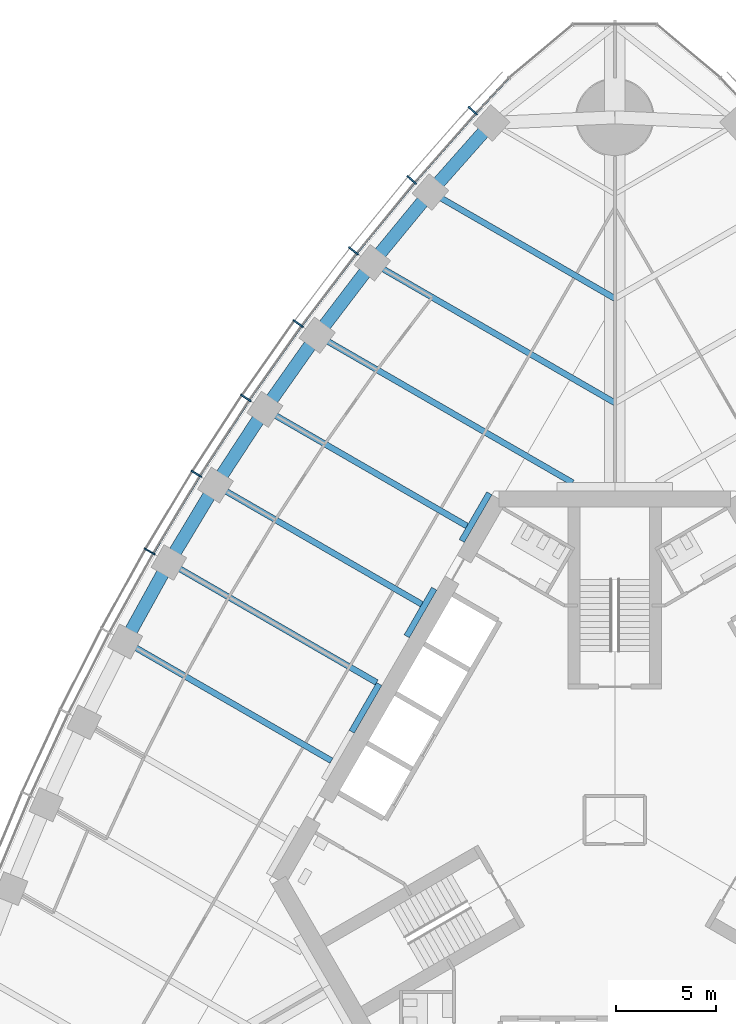
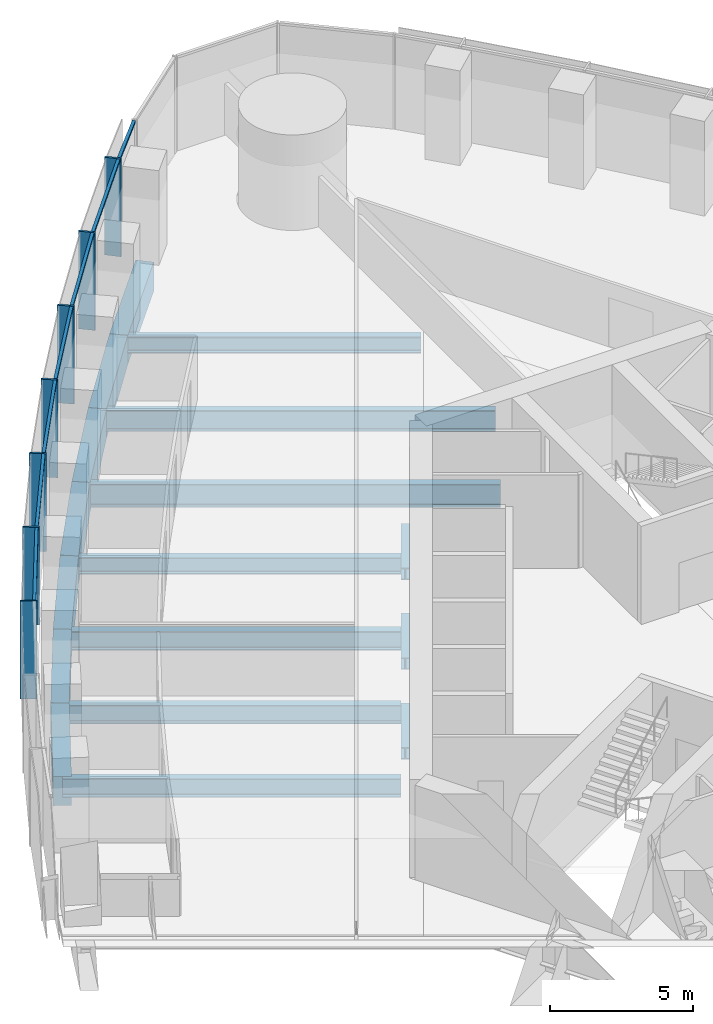
# One storey, part 4 of 19: 17 beams, 14 members, 1 element without a shape of its own.
"""IFC4 building model written with IfcOpenShell, lengths in metres."""

from ifc_helpers import new_model, si_unit, direction, frame, origin, origin_2d, place, context, subcontext, project, spatial, rectangle, i_section, extrude, material, material_profile, profile_set, type_object, element, aggregate, save


model = new_model("IFC4")

# Units and contexts
model_context = context("Model", 3, precision=1e-05, world=origin(), true_north=direction((0.0, 1.0)))
body_context = subcontext(model_context, "Body", "Model", "MODEL_VIEW")
ifc_project = project(units=[si_unit("LENGTHUNIT", "METRE"), si_unit("AREAUNIT", "SQUARE_METRE"), si_unit("VOLUMEUNIT", "CUBIC_METRE"), si_unit("PLANEANGLEUNIT", "RADIAN"), si_unit("MASSUNIT", "GRAM", prefix="KILO")], contexts=[model_context])

# Site, building, storey
site_placement = place(None, origin())
site = spatial("IfcSite", under=ifc_project, at=site_placement, CompositionType="ELEMENT")
building_placement = place(site_placement, origin())
building = spatial("IfcBuilding", under=site, at=building_placement, Name="Trefoil Bronze Tower", CompositionType="ELEMENT")
storey_placement = place(building_placement, frame((0.0, 0.0, 128.300048828125)))
storey = spatial("IfcBuildingStorey", under=building, at=storey_placement, Name="L29", CompositionType="ELEMENT", Elevation=128.300048828125)

# Curtain wall, members
ifc_material_1 = material(Name="Tinted solar-control glass", Category="glass")
curtain_wall_type = type_object("IfcCurtainWallType", Name="Bronze office curtain wall", PredefinedType="USERDEFINED", material=ifc_material_1)
curtain_wall_placement = place(storey_placement, origin())
curtain_wall = element("IfcCurtainWall", 1, at=curtain_wall_placement, inside=storey, type_object=curtain_wall_type, Name="CW-A L29 F3", ObjectType="CURTAIN WALL", PredefinedType="USERDEFINED")
ifc_material_2 = material(Name="Bronze-finish aluminium", Category="aluminium")
ifc_material_profile_1 = material_profile(ifc_material_2, rectangle(XDim=0.60009765625, YDim=0.080078125, at=origin_2d()), Name="CW-A mullion")
ifc_profile_set_1 = profile_set([ifc_material_profile_1], Name="Bronze-finish aluminium")
member_type_1 = type_object("IfcMemberType", Name="Bronze office curtain wall mullion", PredefinedType="MULLION", material=ifc_profile_set_1)
member_1_placement = place(storey_placement, frame((-7.070068359375, 35.332275390625, 0.0), z_axis=(0.0, 0.0, 1.0), x_axis=(0.740360700327, -0.672209813534, 0.0)))
member_1 = element("IfcMember", 2, at=member_1_placement, type_object=member_type_1, Name="CW-A L29 F3 mullion 2", PredefinedType="MULLION", context=body_context, shape_type="SweptSolid", body=[
    extrude(rectangle(XDim=0.60009765625, YDim=0.080078125, at=origin_2d()), origin(), (0.0, 0.0, 1.0), 4.179931640625),
])
member_2_placement = place(storey_placement, frame((-10.11474609375, 31.8828125, 0.0), z_axis=(0.0, 0.0, 1.0), x_axis=(0.761721651066, -0.647904411389, 0.0)))
member_2 = element("IfcMember", 3, at=member_2_placement, type_object=member_type_1, Name="CW-A L29 F3 mullion 3", PredefinedType="MULLION", context=body_context, shape_type="SweptSolid", body=[
    extrude(rectangle(XDim=0.60009765625, YDim=0.080078125, at=origin_2d()), origin(), (0.0, 0.0, 1.0), 4.179931640625),
])
member_3_placement = place(storey_placement, frame((-13.01220703125, 28.34716796875, 0.0), z_axis=(0.0, 0.0, 1.0), x_axis=(0.78487913905, -0.619648882098, 0.0)))
member_3 = element("IfcMember", 4, at=member_3_placement, type_object=member_type_1, Name="CW-A L29 F3 mullion 4", PredefinedType="MULLION", context=body_context, shape_type="SweptSolid", body=[
    extrude(rectangle(XDim=0.60009765625, YDim=0.080078125, at=origin_2d()), origin(), (0.0, 0.0, 1.0), 4.179931640625),
])
member_4_placement = place(storey_placement, frame((-15.764404296875, 24.7275390625, 0.0), z_axis=(0.0, 0.0, 1.0), x_axis=(0.806874522901, -0.590722865897, 0.0)))
member_4 = element("IfcMember", 5, at=member_4_placement, type_object=member_type_1, Name="CW-A L29 F3 mullion 5", PredefinedType="MULLION", context=body_context, shape_type="SweptSolid", body=[
    extrude(rectangle(XDim=0.60009765625, YDim=0.080078125, at=origin_2d()), origin(), (0.0, 0.0, 1.0), 4.179931640625),
])
member_5_placement = place(storey_placement, frame((-18.373046875, 21.025146484375, 0.0), z_axis=(0.0, 0.0, 1.0), x_axis=(0.827723925749, -0.561135547566, 0.0)))
member_5 = element("IfcMember", 6, at=member_5_placement, type_object=member_type_1, Name="CW-A L29 F3 mullion 6", PredefinedType="MULLION", context=body_context, shape_type="SweptSolid", body=[
    extrude(rectangle(XDim=0.60009765625, YDim=0.080078125, at=origin_2d()), origin(), (0.0, 0.0, 1.0), 4.179931640625),
])
member_6_placement = place(storey_placement, frame((-20.840087890625, 17.24072265625, 0.0), z_axis=(0.0, 0.0, 1.0), x_axis=(0.84743864936, -0.530893337283, 0.0)))
member_6 = element("IfcMember", 7, at=member_6_placement, type_object=member_type_1, Name="CW-A L29 F3 mullion 7", PredefinedType="MULLION", context=body_context, shape_type="SweptSolid", body=[
    extrude(rectangle(XDim=0.60009765625, YDim=0.080078125, at=origin_2d()), origin(), (0.0, 0.0, 1.0), 4.179931640625),
])
member_7_placement = place(storey_placement, frame((-23.166015625, 13.374755859375, 0.0), z_axis=(0.0, 0.0, 1.0), x_axis=(0.866025403784, -0.5, 0.0)))
member_7 = element("IfcMember", 8, at=member_7_placement, type_object=member_type_1, Name="CW-A L29 F3 mullion 8", PredefinedType="MULLION", context=body_context, shape_type="SweptSolid", body=[
    extrude(rectangle(XDim=0.60009765625, YDim=0.080078125, at=origin_2d()), origin(), (0.0, 0.0, 1.0), 4.179931640625),
])
ifc_material_3 = material(Name="Bronze-finish aluminium", Category="aluminium")
ifc_material_profile_2 = material_profile(ifc_material_3, rectangle(XDim=0.1201171875, YDim=0.10009765625, at=origin_2d()), Name="CW-A transom")
ifc_profile_set_2 = profile_set([ifc_material_profile_2], Name="Bronze-finish aluminium")
member_type_2 = type_object("IfcMemberType", Name="Bronze office curtain wall transom", PredefinedType="USERDEFINED", material=ifc_profile_set_2)
member_8_placement = place(storey_placement, frame((-5.296630859375, 36.9384765625, 4.1298828125), z_axis=(-0.682489214428, -0.730895664366, 0.0), x_axis=(0.730895664366, -0.682489214428, 0.0)))
member_8 = element("IfcMember", 9, at=member_8_placement, type_object=member_type_2, Name="CW-A L29 F3 transom 1", ObjectType="TRANSOM", PredefinedType="USERDEFINED", context=body_context, shape_type="SweptSolid", body=[
    extrude(rectangle(XDim=0.1201171875, YDim=0.10009765625, at=origin_2d()), origin(), (0.0, 0.0, 1.0), 2.340087890625),
])
member_9_placement = place(storey_placement, frame((-6.949462890625, 35.166748046875, 4.1298828125), z_axis=(-0.66173618877, -0.749736764786, 0.0), x_axis=(0.749736764786, -0.66173618877, 0.0)))
member_9 = element("IfcMember", 10, at=member_9_placement, type_object=member_type_2, Name="CW-A L29 F3 transom 2", ObjectType="TRANSOM", PredefinedType="USERDEFINED", context=body_context, shape_type="SweptSolid", body=[
    extrude(rectangle(XDim=0.1201171875, YDim=0.10009765625, at=origin_2d()), origin(), (0.0, 0.0, 1.0), 4.510986328125),
])
member_10_placement = place(storey_placement, frame((-9.98876953125, 31.720947265625, 4.1298828125), z_axis=(-0.633848872297, -0.773456919995, 0.0), x_axis=(0.773456919995, -0.633848872297, 0.0)))
member_10 = element("IfcMember", 11, at=member_10_placement, type_object=member_type_2, Name="CW-A L29 F3 transom 3", ObjectType="TRANSOM", PredefinedType="USERDEFINED", context=body_context, shape_type="SweptSolid", body=[
    extrude(rectangle(XDim=0.1201171875, YDim=0.10009765625, at=origin_2d()), origin(), (0.0, 0.0, 1.0), 4.480224609375),
])
member_11_placement = place(storey_placement, frame((-12.880615234375, 28.18994140625, 4.1298828125), z_axis=(-0.605229114572, -0.796051329296, 0.0), x_axis=(0.796051329296, -0.605229114572, 0.0)))
member_11 = element("IfcMember", 12, at=member_11_placement, type_object=member_type_2, Name="CW-A L29 F3 transom 4", ObjectType="TRANSOM", PredefinedType="USERDEFINED", context=body_context, shape_type="SweptSolid", body=[
    extrude(rectangle(XDim=0.1201171875, YDim=0.10009765625, at=origin_2d()), origin(), (0.0, 0.0, 1.0), 4.456298828125),
])
member_12_placement = place(storey_placement, frame((-15.626953125, 24.5751953125, 4.1298828125), z_axis=(-0.576017858824, -0.817437108478, 0.0), x_axis=(0.817437108478, -0.576017858824, 0.0)))
member_12 = element("IfcMember", 13, at=member_12_placement, type_object=member_type_2, Name="CW-A L29 F3 transom 5", ObjectType="TRANSOM", PredefinedType="USERDEFINED", context=body_context, shape_type="SweptSolid", body=[
    extrude(rectangle(XDim=0.1201171875, YDim=0.10009765625, at=origin_2d()), origin(), (0.0, 0.0, 1.0), 4.4384765625),
])
member_13_placement = place(storey_placement, frame((-18.23046875, 20.877685546875, 4.1298828125), z_axis=(-0.546079336226, -0.837733465099, 0.0), x_axis=(0.837733465099, -0.546079336226, 0.0)))
member_13 = element("IfcMember", 14, at=member_13_placement, type_object=member_type_2, Name="CW-A L29 F3 transom 6", ObjectType="TRANSOM", PredefinedType="USERDEFINED", context=body_context, shape_type="SweptSolid", body=[
    extrude(rectangle(XDim=0.1201171875, YDim=0.10009765625, at=origin_2d()), origin(), (0.0, 0.0, 1.0), 4.426513671875),
])
member_14_placement = place(storey_placement, frame((-20.692138671875, 17.0986328125, 4.1298828125), z_axis=(-0.515526794174, -0.856873458854, 0.0), x_axis=(0.856873458854, -0.515526794174, 0.0)))
member_14 = element("IfcMember", 15, at=member_14_placement, type_object=member_type_2, Name="CW-A L29 F3 transom 7", ObjectType="TRANSOM", PredefinedType="USERDEFINED", context=body_context, shape_type="SweptSolid", body=[
    extrude(rectangle(XDim=0.1201171875, YDim=0.10009765625, at=origin_2d()), origin(), (0.0, 0.0, 1.0), 4.4208984375),
])
aggregate(curtain_wall, [member_1, member_2, member_3, member_4, member_5, member_6, member_7, member_8, member_9, member_10, member_11, member_12, member_13, member_14])

# Beams
ifc_material_4 = material(Name="Steel C355", Category="steel")
ifc_material_profile_3 = material_profile(ifc_material_4, i_section(OverallWidth=0.300048828125, OverallDepth=0.5, WebThickness=0.014404296875, FlangeThickness=0.028076171875, FilletRadius=0.027099609375, at=origin_2d()), Name="HEB 500")
ifc_profile_set_3 = profile_set([ifc_material_profile_3], Name="Steel C355")
beam_type_1 = type_object("IfcBeamType", Name="Core seat beam HEB 500", PredefinedType="BEAM", material=ifc_profile_set_3)
for number, where, z_axis, x_axis, name in (
    (16, (-6.249755859375, 16.27490234375, -0.449951171875), (-0.500035825175, -0.866004719122, 0.0), (0.866004719122, -0.500035825175, 0.0), "Core seat beam F3/-2 L29"),
    (17, (-8.9921875, 11.52490234375, -0.449951171875), (-0.500035825175, -0.866004719122, 0.0), (0.866004719122, -0.500035825175, 0.0), "Core seat beam F3/-1 L29"),
    (18, (-11.734619140625, 6.77490234375, -0.449951171875), (-0.500035825175, -0.866004719122, 0.0), (0.866004719122, -0.500035825175, 0.0), "Core seat beam F3/+0 L29"),
):
    element("IfcBeam", number, at=place(storey_placement, frame(where, z_axis=z_axis, x_axis=x_axis)), inside=storey, type_object=beam_type_1, Name=name, PredefinedType="BEAM", context=body_context, shape_type="SweptSolid", body=[
        extrude(i_section(OverallWidth=0.300048828125, OverallDepth=0.5, WebThickness=0.014404296875, FlangeThickness=0.028076171875, FilletRadius=0.027099609375, at=origin_2d()), origin(), (0.0, 0.0, 1.0), 2.742431640625),
    ])
ifc_material_5 = material(Name="Steel C355", Category="steel")
ifc_material_profile_4 = material_profile(ifc_material_5, i_section(OverallWidth=0.300048828125, OverallDepth=1.0, WebThickness=0.01904296875, FlangeThickness=0.035888671875, FilletRadius=0.030029296875, at=origin_2d()), Name="HEB 1000")
ifc_profile_set_4 = profile_set([ifc_material_profile_4], Name="Steel C355")
beam_type_2 = type_object("IfcBeamType", Name="Floor beam HEB 1000", PredefinedType="BEAM", material=ifc_profile_set_4)
beam_1_placement = place(storey_placement, frame((-14.825439453125, 24.14794921875, -0.699951171875), z_axis=(0.866027342682, -0.499996641717, 0.0), x_axis=(0.499996641717, 0.866027342682, 0.0)))
element("IfcBeam", 19, at=beam_1_placement, inside=storey, type_object=beam_type_2, Name="Floor beam F3/-3 L29", PredefinedType="BEAM", context=body_context, shape_type="SweptSolid", body=[
    extrude(i_section(OverallWidth=0.300048828125, OverallDepth=1.0, WebThickness=0.01904296875, FlangeThickness=0.035888671875, FilletRadius=0.030029296875, at=origin_2d()), origin(), (0.0, 0.0, 1.0), 14.69580078125),
])
ifc_material_6 = material(Name="Steel C355", Category="steel")
ifc_material_profile_5 = material_profile(ifc_material_6, i_section(OverallWidth=0.300048828125, OverallDepth=0.699951171875, WebThickness=0.01708984375, FlangeThickness=0.031982421875, FilletRadius=0.027099609375, at=origin_2d()), Name="HEB 700")
ifc_profile_set_5 = profile_set([ifc_material_profile_5], Name="Steel C355")
beam_type_3 = type_object("IfcBeamType", Name="Floor beam HEB 700", PredefinedType="BEAM", material=ifc_profile_set_5)
beam_2_placement = place(storey_placement, frame((-9.181884765625, 31.281982421875, -0.550048828125), z_axis=(0.866021079084, -0.500007490527, 0.0), x_axis=(0.500007490527, 0.866021079084, 0.0)))
element("IfcBeam", 20, at=beam_2_placement, inside=storey, type_object=beam_type_3, Name="Floor beam F3/-5 L29", PredefinedType="BEAM", context=body_context, shape_type="SweptSolid", body=[
    extrude(i_section(OverallWidth=0.300048828125, OverallDepth=0.699951171875, WebThickness=0.01708984375, FlangeThickness=0.031982421875, FilletRadius=0.027099609375, at=origin_2d()), origin(), (0.0, 0.0, 1.0), 10.602294921875),
])
beam_3_placement = place(storey_placement, frame((-17.43017578125, 20.45556640625, -0.550048828125), z_axis=(0.866030626868, -0.499990953245, 0.0), x_axis=(0.499990953245, 0.866030626868, 0.0)))
element("IfcBeam", 21, at=beam_3_placement, inside=storey, type_object=beam_type_3, Name="Floor beam F3/-2 L29", PredefinedType="BEAM", context=body_context, shape_type="SweptSolid", body=[
    extrude(i_section(OverallWidth=0.300048828125, OverallDepth=0.699951171875, WebThickness=0.01708984375, FlangeThickness=0.031982421875, FilletRadius=0.027099609375, at=origin_2d()), origin(), (0.0, 0.0, 1.0), 11.622802734375),
])
ifc_material_7 = material(Name="Steel C355", Category="steel")
ifc_material_profile_6 = material_profile(ifc_material_7, i_section(OverallWidth=0.300048828125, OverallDepth=0.800048828125, WebThickness=0.017578125, FlangeThickness=0.032958984375, FilletRadius=0.030029296875, at=origin_2d()), Name="HEB 800")
ifc_profile_set_6 = profile_set([ifc_material_profile_6], Name="Steel C355")
beam_type_4 = type_object("IfcBeamType", Name="Floor beam HEB 800", PredefinedType="BEAM", material=ifc_profile_set_6)
beam_4_placement = place(storey_placement, frame((-19.892578125, 16.68115234375, -0.60009765625), z_axis=(0.866024236736, -0.500002021381, 0.0), x_axis=(0.500002021381, 0.866024236736, 0.0)))
element("IfcBeam", 22, at=beam_4_placement, inside=storey, type_object=beam_type_4, Name="Floor beam F3/-1 L29", PredefinedType="BEAM", context=body_context, shape_type="SweptSolid", body=[
    extrude(i_section(OverallWidth=0.300048828125, OverallDepth=0.800048828125, WebThickness=0.017578125, FlangeThickness=0.032958984375, FilletRadius=0.030029296875, at=origin_2d()), origin(), (0.0, 0.0, 1.0), 11.8681640625),
])
beam_5_placement = place(storey_placement, frame((-22.21337890625, 12.824951171875, -0.60009765625), z_axis=(0.866028062731, -0.499995394541, 0.0), x_axis=(0.499995394541, 0.866028062731, 0.0)))
element("IfcBeam", 23, at=beam_5_placement, inside=storey, type_object=beam_type_4, Name="Floor beam F3/+0 L29", PredefinedType="BEAM", context=body_context, shape_type="SweptSolid", body=[
    extrude(i_section(OverallWidth=0.300048828125, OverallDepth=0.800048828125, WebThickness=0.017578125, FlangeThickness=0.032958984375, FilletRadius=0.030029296875, at=origin_2d()), origin(), (0.0, 0.0, 1.0), 11.94970703125),
])
beam_6_placement = place(storey_placement, frame((-24.392578125, 8.886962890625, -0.60009765625), z_axis=(0.866024236736, -0.500002021381, 0.0), x_axis=(0.500002021381, 0.866024236736, 0.0)))
element("IfcBeam", 24, at=beam_6_placement, inside=storey, type_object=beam_type_4, Name="Floor beam F3/+1 L29", PredefinedType="BEAM", context=body_context, shape_type="SweptSolid", body=[
    extrude(i_section(OverallWidth=0.300048828125, OverallDepth=0.800048828125, WebThickness=0.017578125, FlangeThickness=0.032958984375, FilletRadius=0.030029296875, at=origin_2d()), origin(), (0.0, 0.0, 1.0), 11.8681640625),
])
ifc_material_8 = material(Name="Steel C355", Category="steel")
ifc_material_profile_7 = material_profile(ifc_material_8, i_section(OverallWidth=0.300048828125, OverallDepth=0.89990234375, WebThickness=0.0185546875, FlangeThickness=0.034912109375, FilletRadius=0.030029296875, at=origin_2d()), Name="HEB 900")
ifc_profile_set_7 = profile_set([ifc_material_profile_7], Name="Steel C355")
beam_type_5 = type_object("IfcBeamType", Name="Floor beam HEB 900", PredefinedType="BEAM", material=ifc_profile_set_7)
beam_7_placement = place(storey_placement, frame((-12.07666015625, 27.757080078125, -0.650146484375), z_axis=(0.866026983775, -0.499997263366, 0.0), x_axis=(0.499997263366, 0.866026983775, 0.0)))
element("IfcBeam", 25, at=beam_7_placement, inside=storey, type_object=beam_type_5, Name="Floor beam F3/-4 L29", PredefinedType="BEAM", context=body_context, shape_type="SweptSolid", body=[
    extrude(i_section(OverallWidth=0.300048828125, OverallDepth=0.89990234375, WebThickness=0.0185546875, FlangeThickness=0.034912109375, FilletRadius=0.030029296875, at=origin_2d()), origin(), (0.0, 0.0, 1.0), 13.94482421875),
])
ifc_material_9 = material(Name="Concrete B80", Category="concrete")
ifc_material_profile_8 = material_profile(ifc_material_9, rectangle(XDim=0.64990234375, YDim=1.25, at=origin_2d()), Name="RC 650x1250")
ifc_profile_set_8 = profile_set([ifc_material_profile_8], Name="Concrete B80")
beam_type_6 = type_object("IfcBeamType", Name="Spandrel beam RC 650x1250", PredefinedType="SPANDREL", material=ifc_profile_set_8)
beam_8_placement = place(storey_placement, frame((-6.13916015625, 34.72119140625, -0.824951171875), z_axis=(-0.662616326239, -0.748959013699, 0.0), x_axis=(0.748959013699, -0.662616326239, 0.0)))
element("IfcBeam", 26, at=beam_8_placement, inside=storey, type_object=beam_type_6, Name="Spandrel F3.2 L29", PredefinedType="SPANDREL", context=body_context, shape_type="SweptSolid", body=[
    extrude(rectangle(XDim=0.64990234375, YDim=1.25, at=origin_2d()), origin(), (0.0, 0.0, 1.0), 4.592041015625),
])
beam_9_placement = place(storey_placement, frame((-9.181884765625, 31.281982421875, -0.824951171875), z_axis=(-0.634650386838, -0.772799383079, 0.0), x_axis=(0.772799383079, -0.634650386838, 0.0)))
element("IfcBeam", 27, at=beam_9_placement, inside=storey, type_object=beam_type_6, Name="Spandrel F3.3 L29", PredefinedType="SPANDREL", context=body_context, shape_type="SweptSolid", body=[
    extrude(rectangle(XDim=0.64990234375, YDim=1.25, at=origin_2d()), origin(), (0.0, 0.0, 1.0), 4.561279296875),
])
beam_10_placement = place(storey_placement, frame((-12.07666015625, 27.757080078125, -0.824951171875), z_axis=(-0.605898901788, -0.795541652468, 0.0), x_axis=(0.795541652468, -0.605898901788, 0.0)))
element("IfcBeam", 28, at=beam_10_placement, inside=storey, type_object=beam_type_6, Name="Spandrel F3.4 L29", PredefinedType="SPANDREL", context=body_context, shape_type="SweptSolid", body=[
    extrude(rectangle(XDim=0.64990234375, YDim=1.25, at=origin_2d()), origin(), (0.0, 0.0, 1.0), 4.53662109375),
])
beam_11_placement = place(storey_placement, frame((-14.825439453125, 24.14794921875, -0.824951171875), z_axis=(-0.576439228712, -0.81714002203, 0.0), x_axis=(0.81714002203, -0.576439228712, 0.0)))
element("IfcBeam", 29, at=beam_11_placement, inside=storey, type_object=beam_type_6, Name="Spandrel F3.5 L29", PredefinedType="SPANDREL", context=body_context, shape_type="SweptSolid", body=[
    extrude(rectangle(XDim=0.64990234375, YDim=1.25, at=origin_2d()), origin(), (0.0, 0.0, 1.0), 4.5185546875),
])
beam_12_placement = place(storey_placement, frame((-17.43017578125, 20.45556640625, -0.824951171875), z_axis=(-0.546396670296, -0.83752652417, 0.0), x_axis=(0.83752652417, -0.546396670296, 0.0)))
element("IfcBeam", 30, at=beam_12_placement, inside=storey, type_object=beam_type_6, Name="Spandrel F3.6 L29", PredefinedType="SPANDREL", context=body_context, shape_type="SweptSolid", body=[
    extrude(rectangle(XDim=0.64990234375, YDim=1.25, at=origin_2d()), origin(), (0.0, 0.0, 1.0), 4.506591796875),
])
for number, where, z_axis, x_axis, name in (
    (31, (-19.892578125, 16.68115234375, -0.824951171875), (-0.515651979972, -0.856798129988, 0.0), (0.856798129988, -0.515651979972, 0.0), "Spandrel F3.7 L29"),
    (32, (-22.21337890625, 12.824951171875, -0.824951171875), (-0.484186866546, -0.874964615436, 0.0), (0.874964615436, -0.484186866546, 0.0), "Spandrel F3.8 L29"),
):
    element("IfcBeam", number, at=place(storey_placement, frame(where, z_axis=z_axis, x_axis=x_axis)), inside=storey, type_object=beam_type_6, Name=name, PredefinedType="SPANDREL", context=body_context, shape_type="SweptSolid", body=[
        extrude(rectangle(XDim=0.64990234375, YDim=1.25, at=origin_2d()), origin(), (0.0, 0.0, 1.0), 4.500732421875),
    ])

save(model, "model.ifc")
